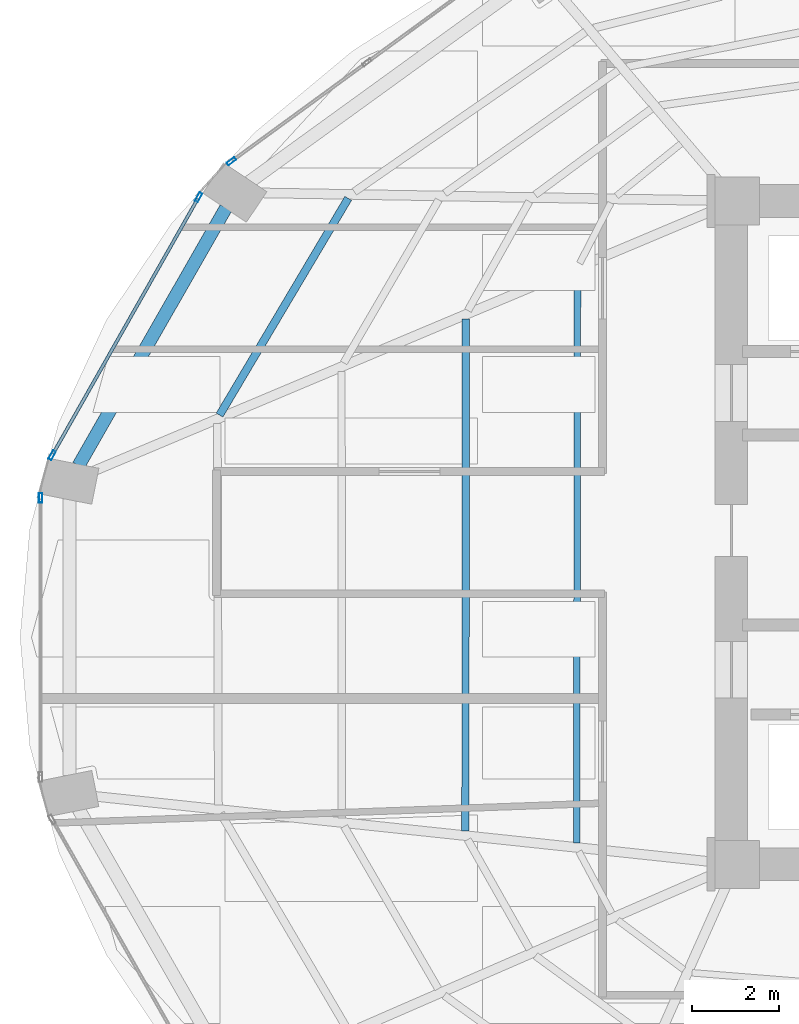
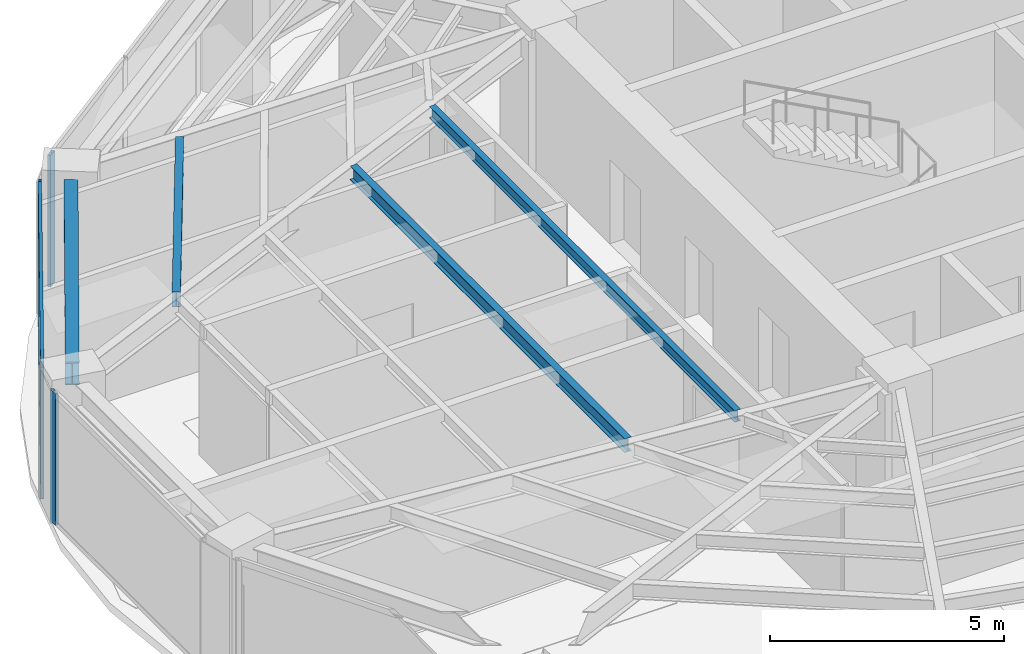
# One storey, part 8 of 24: 6 members, 4 beams, 3 elements without a shape of their own.
"""IFC4 building model written with IfcOpenShell, lengths in metres."""

from ifc_helpers import new_model, si_unit, direction, frame, origin, origin_2d, place, context, subcontext, project, spatial, hollow_rectangle, i_section, extrude, material, layer, layer_set, material_profile, profile_set, type_object, element, aggregate, save


model = new_model("IFC4")

# Units and contexts
model_context = context("Model", 3, precision=1e-05, world=origin(), true_north=direction((0.0, 1.0)))
body_context = subcontext(model_context, "Body", "Model", "MODEL_VIEW")
ifc_project = project(units=[si_unit("LENGTHUNIT", "METRE"), si_unit("AREAUNIT", "SQUARE_METRE"), si_unit("VOLUMEUNIT", "CUBIC_METRE"), si_unit("PLANEANGLEUNIT", "RADIAN"), si_unit("MASSUNIT", "GRAM", prefix="KILO")], contexts=[model_context])

# Site, building, storey
site_placement = place(None, origin())
site = spatial("IfcSite", under=ifc_project, at=site_placement, CompositionType="ELEMENT")
building_placement = place(site_placement, origin())
building = spatial("IfcBuilding", under=site, at=building_placement, Name="Lazwardi Medical Tower", CompositionType="ELEMENT")
storey_placement = place(building_placement, frame((0.0, 0.0, 96.3359375)))
storey = spatial("IfcBuildingStorey", under=building, at=storey_placement, Name="L24", CompositionType="ELEMENT", Elevation=96.3359375)

# Beams
ifc_material_1 = material(Name="Steel S355", Category="steel")
ifc_material_profile_1 = material_profile(ifc_material_1, i_section(OverallWidth=0.300048828125, OverallDepth=0.60009765625, WebThickness=0.015380859375, FlangeThickness=0.030029296875, at=origin_2d()), Name="HEB 600")
ifc_profile_set_1 = profile_set([ifc_material_profile_1], Name="Steel S355")
beam_type_1 = type_object("IfcBeamType", Name="BM-RB-Z2", PredefinedType="BEAM", material=ifc_profile_set_1)
beam_1_placement = place(storey_placement, frame((14.718505859375, 35.438720703125, 3.128173828125), z_axis=(-0.496653025517, -0.867949176072, 0.0), x_axis=(0.867949176072, -0.496653025517, 0.0)))
element("IfcBeam", 1, at=beam_1_placement, inside=storey, type_object=beam_type_1, Name="Ring beam RB-03 B11 L24", PredefinedType="BEAM", context=body_context, shape_type="SweptSolid", body=[
    extrude(i_section(OverallWidth=0.300048828125, OverallDepth=0.60009765625, WebThickness=0.015380859375, FlangeThickness=0.030029296875, at=origin_2d()), origin(), (0.0, 0.0, 1.0), 6.80078125),
])
ifc_material_profile_2 = material_profile(ifc_material_1, i_section(OverallWidth=0.179931640625, OverallDepth=0.39990234375, WebThickness=0.008544921875, FlangeThickness=0.013427734375, at=origin_2d()), Name="IPE 400")
ifc_profile_set_2 = profile_set([ifc_material_profile_2], Name="Steel S355")
beam_type_2 = type_object("IfcBeamType", Name="BM-SJ-01", PredefinedType="JOIST", material=ifc_profile_set_2)
beam_2_placement = place(storey_placement, frame((17.52099609375, 35.659423828125, 3.22802734375), z_axis=(-0.510499691073, -0.859877936346, 0.0), x_axis=(0.859877936346, -0.510499691073, 0.0)))
element("IfcBeam", 2, at=beam_2_placement, inside=storey, type_object=beam_type_2, Name="Secondary joist SJ-01 R1 B11 L24", PredefinedType="JOIST", context=body_context, shape_type="SweptSolid", body=[
    extrude(i_section(OverallWidth=0.179931640625, OverallDepth=0.39990234375, WebThickness=0.008544921875, FlangeThickness=0.013427734375, at=origin_2d()), origin(), (0.0, 0.0, 1.0), 5.776123046875),
])
ifc_material_profile_3 = material_profile(ifc_material_1, i_section(OverallWidth=0.169921875, OverallDepth=0.360107421875, WebThickness=0.008056640625, FlangeThickness=0.0126953125, at=origin_2d()), Name="IPE 360")
ifc_profile_set_3 = profile_set([ifc_material_profile_3], Name="Steel S355")
beam_type_3 = type_object("IfcBeamType", Name="BM-SJ-02", PredefinedType="JOIST", material=ifc_profile_set_3)
beam_3_placement = place(storey_placement, frame((20.212890625, 32.892578125, 3.248046875), z_axis=(-0.000561961365, -0.9999998421, 0.0), x_axis=(0.9999998421, -0.000561961365, 0.0)))
element("IfcBeam", 3, at=beam_3_placement, inside=storey, type_object=beam_type_3, Name="Secondary joist SJ-02 R3 B12 L24", PredefinedType="JOIST", context=body_context, shape_type="SweptSolid", body=[
    extrude(i_section(OverallWidth=0.169921875, OverallDepth=0.360107421875, WebThickness=0.008056640625, FlangeThickness=0.0126953125, at=origin_2d()), origin(), (0.0, 0.0, 1.0), 11.72998046875),
])
ifc_material_profile_4 = material_profile(ifc_material_1, i_section(OverallWidth=0.14990234375, OverallDepth=0.300048828125, WebThickness=0.007080078125, FlangeThickness=0.0107421875, at=origin_2d()), Name="IPE 300")
ifc_profile_set_4 = profile_set([ifc_material_profile_4], Name="Steel S355")
beam_type_4 = type_object("IfcBeamType", Name="BM-SJ-03", PredefinedType="JOIST", material=ifc_profile_set_4)
beam_4_placement = place(storey_placement, frame((22.77490234375, 33.97021484375, 3.278076171875), z_axis=(-0.00156809843, -0.999998770533, 0.0), x_axis=(0.999998770533, -0.00156809843, 0.0)))
element("IfcBeam", 4, at=beam_4_placement, inside=storey, type_object=beam_type_4, Name="Secondary joist SJ-03 R4 B12 L24", PredefinedType="JOIST", context=body_context, shape_type="SweptSolid", body=[
    extrude(i_section(OverallWidth=0.14990234375, OverallDepth=0.300048828125, WebThickness=0.007080078125, FlangeThickness=0.0107421875, at=origin_2d()), origin(), (0.0, 0.0, 1.0), 13.078125),
])

# Curtain wall, member
ifc_material_2 = material(Name="Anodised bronze aluminium and solar control glazing", Category="aluminium")
ifc_layer = layer(ifc_material_2, 0.195068359375)
ifc_layer_set = layer_set([ifc_layer], Name="Anodised bronze aluminium and solar control glazing")
curtain_wall_type = type_object("IfcCurtainWallType", Name="CW-SYS-03", PredefinedType="NOTDEFINED", material=ifc_layer_set)
curtain_wall_1_placement = place(storey_placement, origin())
curtain_wall_1 = element("IfcCurtainWall", 5, at=curtain_wall_1_placement, inside=storey, type_object=curtain_wall_type, Name="L24 Unitised bronze curtain wall CW-03", PredefinedType="NOTDEFINED")
ifc_material_3 = material(Name="Anodised bronze aluminium", Category="aluminium")
ifc_material_profile_5 = material_profile(ifc_material_3, hollow_rectangle(XDim=0.074951171875, YDim=0.219970703125, WallThickness=0.00390625, at=origin_2d()), Name="ALU-MULLION 220x75x4")
ifc_profile_set_5 = profile_set([ifc_material_profile_5], Name="Anodised bronze aluminium")
member_type_1 = type_object("IfcMemberType", Name="CW-MUL-01", PredefinedType="MULLION", material=ifc_profile_set_5)
member_1_placement = place(storey_placement, frame((14.844970703125, 36.5087890625, 0.0), z_axis=(0.0, 0.0, 1.0), x_axis=(0.589530882802, -0.807745837639, 0.0)))
member_1 = element("IfcMember", 6, at=member_1_placement, type_object=member_type_1, Name="CW-03 mullion 3", PredefinedType="MULLION", context=body_context, shape_type="SweptSolid", body=[
    extrude(hollow_rectangle(XDim=0.074951171875, YDim=0.219970703125, WallThickness=0.00390625, at=origin_2d()), origin(), (0.0, 0.0, 1.0), 3.427978515625),
])
aggregate(curtain_wall_1, [member_1])

# Curtain wall, members
curtain_wall_2_placement = place(storey_placement, origin())
curtain_wall_2 = element("IfcCurtainWall", 7, at=curtain_wall_2_placement, inside=storey, type_object=curtain_wall_type, Name="L24 Unitised bronze curtain wall CW-03", PredefinedType="NOTDEFINED")
member_2_placement = place(storey_placement, frame((14.0927734375, 35.685791015625, 0.0), z_axis=(0.0, 0.0, 1.0), x_axis=(0.869687265712, -0.493603140041, 0.0)))
member_2 = element("IfcMember", 8, at=member_2_placement, type_object=member_type_1, Name="CW-03 mullion 1", PredefinedType="MULLION", context=body_context, shape_type="SweptSolid", body=[
    extrude(hollow_rectangle(XDim=0.074951171875, YDim=0.219970703125, WallThickness=0.00390625, at=origin_2d()), origin(), (0.0, 0.0, 1.0), 3.427978515625),
])
member_3_placement = place(storey_placement, frame((10.7373046875, 29.77392578125, 0.0), z_axis=(0.0, 0.0, 1.0), x_axis=(0.869687265712, -0.493603140041, 0.0)))
member_3 = element("IfcMember", 9, at=member_3_placement, type_object=member_type_1, Name="CW-03 mullion 2", PredefinedType="MULLION", context=body_context, shape_type="SweptSolid", body=[
    extrude(hollow_rectangle(XDim=0.074951171875, YDim=0.219970703125, WallThickness=0.00390625, at=origin_2d()), origin(), (0.0, 0.0, 1.0), 3.427978515625),
])

# Curtain wall, member
curtain_wall_3_placement = place(storey_placement, origin())
curtain_wall_3 = element("IfcCurtainWall", 10, at=curtain_wall_3_placement, inside=storey, type_object=curtain_wall_type, Name="L24 Unitised bronze curtain wall CW-03", PredefinedType="NOTDEFINED")
member_4_placement = place(storey_placement, frame((10.471923828125, 28.79736328125, 0.0), z_axis=(0.0, 0.0, 1.0), x_axis=(1.0, 0.0, 0.0)))
member_4 = element("IfcMember", 11, at=member_4_placement, type_object=member_type_1, Name="CW-03 mullion 1", PredefinedType="MULLION", context=body_context, shape_type="SweptSolid", body=[
    extrude(hollow_rectangle(XDim=0.074951171875, YDim=0.219970703125, WallThickness=0.00390625, at=origin_2d()), origin(), (0.0, 0.0, 1.0), 3.427978515625),
])
aggregate(curtain_wall_3, [member_4])

# Member
ifc_material_profile_6 = material_profile(ifc_material_3, hollow_rectangle(XDim=0.074951171875, YDim=0.159912109375, WallThickness=0.00390625, at=origin_2d()), Name="ALU-TRANSOM 160x75x4")
ifc_profile_set_6 = profile_set([ifc_material_profile_6], Name="Anodised bronze aluminium")
member_type_2 = type_object("IfcMemberType", Name="CW-TRN-01", PredefinedType="USERDEFINED", material=ifc_profile_set_6)
member_5_placement = place(storey_placement, frame((14.074462890625, 35.6533203125, 0.03759765625), z_axis=(-0.493614427365, -0.869680859337, 0.0), x_axis=(0.869680859337, -0.493614427365, 0.0)))
member_5 = element("IfcMember", 12, at=member_5_placement, type_object=member_type_2, Name="CW-03 transom 1.1", ObjectType="TRANSOM", PredefinedType="USERDEFINED", context=body_context, shape_type="SweptSolid", body=[
    extrude(hollow_rectangle(XDim=0.074951171875, YDim=0.159912109375, WallThickness=0.00390625, at=origin_2d()), origin(), (0.0, 0.0, 1.0), 6.72314453125),
])

member_6_placement = place(storey_placement, frame((14.074462890625, 35.6533203125, 3.390625), z_axis=(-0.493614427365, -0.869680859337, 0.0), x_axis=(0.869680859337, -0.493614427365, 0.0)))
member_6 = element("IfcMember", 13, at=member_6_placement, type_object=member_type_2, Name="CW-03 transom 1.2", ObjectType="TRANSOM", PredefinedType="USERDEFINED", context=body_context, shape_type="SweptSolid", body=[
    extrude(hollow_rectangle(XDim=0.074951171875, YDim=0.159912109375, WallThickness=0.00390625, at=origin_2d()), origin(), (0.0, 0.0, 1.0), 6.72314453125),
])

aggregate(curtain_wall_2, [member_2, member_3, member_5, member_6])

save(model, "model.ifc")
